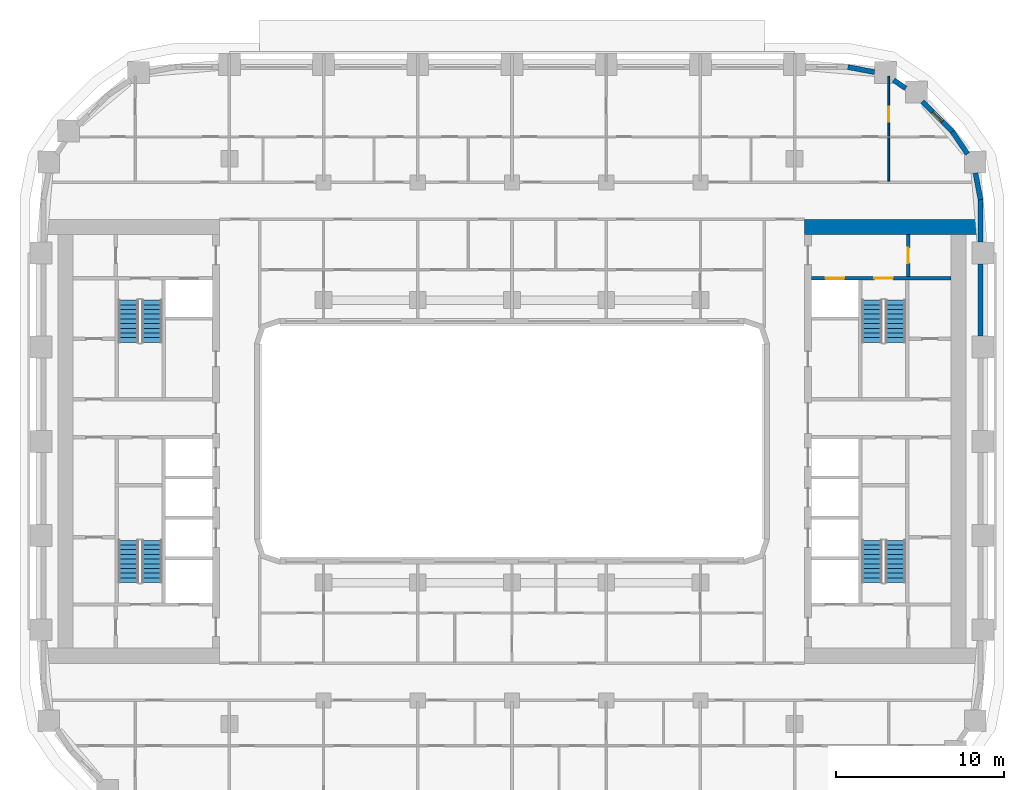
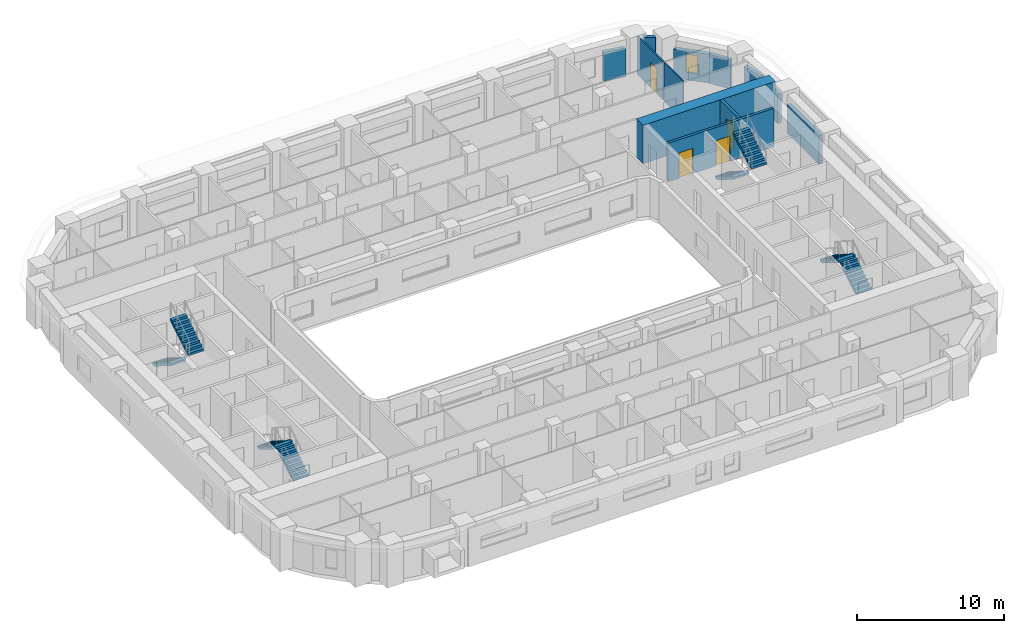
# One storey, part 10 of 21: 12 walls, 8 stair flights, 4 doors, 1 window, 5 openings, 4 elements without a shape of their own.
"""IFC4 building model written with IfcOpenShell, lengths in metres."""

from ifc_helpers import new_model, si_unit, direction, frame, frame_2d, origin, place, context, subcontext, project, spatial, polyline, rectangle, outline, extrude, material, layer, layer_set, type_object, element, fill, aggregate, save


model = new_model("IFC4")

# Units and contexts
model_context = context("Model", 3, precision=1e-05, world=origin(), true_north=direction((0.0, 1.0)))
body_context = subcontext(model_context, "Body", "Model", "MODEL_VIEW")
ifc_project = project(units=[si_unit("LENGTHUNIT", "METRE"), si_unit("AREAUNIT", "SQUARE_METRE"), si_unit("VOLUMEUNIT", "CUBIC_METRE"), si_unit("PLANEANGLEUNIT", "RADIAN"), si_unit("MASSUNIT", "GRAM", prefix="KILO")], contexts=[model_context])

# Site, building, storey
site_placement = place(None, origin())
site = spatial("IfcSite", under=ifc_project, at=site_placement, CompositionType="ELEMENT")
building_placement = place(site_placement, origin())
building = spatial("IfcBuilding", under=site, at=building_placement, Name="Kiln Ring Residences", CompositionType="ELEMENT")
storey_placement = place(building_placement, frame((0.0, 0.0, 93.800048828125)))
storey = spatial("IfcBuildingStorey", under=building, at=storey_placement, Name="L23", CompositionType="ELEMENT", Elevation=93.800048828125)

# Wall, opening, door
ifc_material_1 = material(Name="Gypsum board on steel studs", Category="steel")
ifc_layer_1 = layer(ifc_material_1, 0.199951171875)
ifc_layer_set_1 = layer_set([ifc_layer_1], Name="CORE-PARTITION-200")
wall_type_1 = type_object("IfcWallType", Name="CORE-PARTITION-200", PredefinedType="PARTITIONING", material=ifc_layer_set_1)
wall_1_placement = place(storey_placement, frame((23.550048828125, 9.800048828125, 0.0), z_axis=(0.0, 0.0, 1.0), x_axis=(0.0, 1.0, 0.0)))
wall_1 = element("IfcWall", 1, at=wall_1_placement, inside=storey, type_object=wall_type_1, Name="Core partition east L23 3", PredefinedType="PARTITIONING", context=body_context, shape_type="SweptSolid", body=[
    extrude(rectangle(XDim=2.5, YDim=0.199951171875, at=frame_2d((1.25, 0.0))), origin(), (0.0, 0.0, 1.0), 3.199951171875),
])
opening_1_placement = place(wall_1_placement, frame((0.800048828125, 0.0, 0.0)))
opening_1 = element("IfcOpeningElement", 2, at=opening_1_placement, cuts=wall_1, Name="Opening L23-CE09", PredefinedType="OPENING", context=body_context, shape_type="SweptSolid", body=[
    extrude(rectangle(XDim=0.89990234375, YDim=2.10009765625, at=frame_2d((0.449951171875, 1.050048828125))), frame((0.0, 0.10986328125, 0.0), z_axis=(0.0, -1.0, 0.0), x_axis=(1.0, 0.0, 0.0)), (0.0, 0.0, 1.0), 0.219970703125),
])
ifc_material_2 = material(Name="Steel door leaf", Category="steel")
door_type_1 = type_object("IfcDoorType", Name="CORE-DOOR-ROOM", OperationType="SINGLE_SWING_LEFT", PredefinedType="DOOR", material=ifc_material_2)
door_1_placement = place(opening_1_placement, origin())
door_1 = element("IfcDoor", 3, at=door_1_placement, inside=storey, type_object=door_type_1, Name="Fire riser room L23-CE09", OperationType="SINGLE_SWING_RIGHT", OverallHeight=2.10009765625, OverallWidth=0.89990234375, PredefinedType="DOOR", context=body_context, shape_type="SweptSolid", body=[
    extrude(rectangle(XDim=0.89990234375, YDim=2.10009765625, at=frame_2d((0.449951171875, 1.050048828125))), frame((0.0, 0.02490234375, 0.0), z_axis=(0.0, -1.0, 0.0), x_axis=(1.0, 0.0, 0.0)), (0.0, 0.0, 1.0), 0.050048828125),
])
fill(opening_1, door_1)

# Wall, openings, doors
ifc_material_3 = material(Name="Concrete C40/50", Category="concrete")
ifc_layer_2 = layer(ifc_material_3, 0.199951171875)
ifc_layer_set_2 = layer_set([ifc_layer_2], Name="CORE-WALL-RC200")
wall_type_2 = type_object("IfcWallType", Name="CORE-WALL-RC200", PredefinedType="SHEAR", material=ifc_layer_set_2)
wall_2_placement = place(storey_placement, frame((17.800048828125, 9.699951171875, 0.0), z_axis=(0.0, 0.0, 1.0), x_axis=(1.0, 0.0, 0.0)))
wall_2 = element("IfcWall", 4, at=wall_2_placement, inside=storey, type_object=wall_type_2, Name="Core wall east L23 9", PredefinedType="SHEAR", context=body_context, shape_type="SweptSolid", body=[
    extrude(rectangle(XDim=8.300048828125, YDim=0.199951171875, at=frame_2d((4.14990234375, 0.0))), origin(), (0.0, 0.0, 1.0), 3.199951171875),
])
opening_2_placement = place(wall_2_placement, frame((0.85009765625, 0.0, 0.0)))
opening_2 = element("IfcOpeningElement", 5, at=opening_2_placement, cuts=wall_2, Name="Opening L23-CE06", PredefinedType="OPENING", context=body_context, shape_type="SweptSolid", body=[
    extrude(rectangle(XDim=1.10009765625, YDim=2.10009765625, at=frame_2d((0.550048828125, 1.050048828125))), frame((0.0, 0.10986328125, 0.0), z_axis=(0.0, -1.0, 0.0), x_axis=(1.0, 0.0, 0.0)), (0.0, 0.0, 1.0), 0.219970703125),
])
opening_3_placement = place(wall_2_placement, frame((3.75, 0.0, 0.0)))
opening_3 = element("IfcOpeningElement", 6, at=opening_3_placement, cuts=wall_2, Name="Opening L23-CE11", PredefinedType="OPENING", context=body_context, shape_type="SweptSolid", body=[
    extrude(rectangle(XDim=1.10009765625, YDim=2.10009765625, at=frame_2d((0.550048828125, 1.050048828125))), frame((0.0, 0.10986328125, 0.0), z_axis=(0.0, -1.0, 0.0), x_axis=(1.0, 0.0, 0.0)), (0.0, 0.0, 1.0), 0.219970703125),
])
ifc_material_4 = material(Name="Steel door leaf", Category="steel")
door_type_2 = type_object("IfcDoorType", Name="CORE-DOOR-LD", OperationType="DOUBLE_DOOR_SLIDING", PredefinedType="DOOR", material=ifc_material_4)
door_2_placement = place(opening_2_placement, origin())
door_2 = element("IfcDoor", 7, at=door_2_placement, inside=storey, type_object=door_type_2, Name="LD E-FF L23-CE06", OperationType="DOUBLE_DOOR_SLIDING", OverallHeight=2.10009765625, OverallWidth=1.10009765625, PredefinedType="DOOR", context=body_context, shape_type="SweptSolid", body=[
    extrude(rectangle(XDim=1.10009765625, YDim=2.10009765625, at=frame_2d((0.550048828125, 1.050048828125))), frame((0.0, 0.02490234375, 0.0), z_axis=(0.0, -1.0, 0.0), x_axis=(1.0, 0.0, 0.0)), (0.0, 0.0, 1.0), 0.050048828125),
])
fill(opening_2, door_2)
ifc_material_5 = material(Name="Steel door leaf", Category="steel")
door_type_3 = type_object("IfcDoorType", Name="CORE-DOOR-STAIR", OperationType="SINGLE_SWING_LEFT", PredefinedType="DOOR", material=ifc_material_5)
door_3_placement = place(opening_3_placement, origin())
door_3 = element("IfcDoor", 8, at=door_3_placement, inside=storey, type_object=door_type_3, Name="Stair E-STN L23-CE11", OperationType="SINGLE_SWING_RIGHT", OverallHeight=2.10009765625, OverallWidth=1.10009765625, PredefinedType="DOOR", context=body_context, shape_type="SweptSolid", body=[
    extrude(rectangle(XDim=1.10009765625, YDim=2.10009765625, at=frame_2d((0.550048828125, 1.050048828125))), frame((0.0, 0.02490234375, 0.0), z_axis=(0.0, -1.0, 0.0), x_axis=(1.0, 0.0, 0.0)), (0.0, 0.0, 1.0), 0.050048828125),
])
fill(opening_3, door_3)

# Walls
ifc_material_6 = material(Name="Concrete C60/75", Category="concrete")
ifc_layer_3 = layer(ifc_material_6, 0.89990234375)
ifc_layer_set_3 = layer_set([ifc_layer_3], Name="CORE-WALL-RC900")
wall_type_3 = type_object("IfcWallType", Name="CORE-WALL-RC900", PredefinedType="SHEAR", material=ifc_layer_set_3)
wall_3_placement = place(storey_placement, frame((17.39990234375, 12.75, 0.0), z_axis=(0.0, 0.0, 1.0), x_axis=(1.0, 0.0, 0.0)))
element("IfcWall", 9, at=wall_3_placement, inside=storey, type_object=wall_type_3, Name="Core wall east L23 4", PredefinedType="SHEAR", context=body_context, shape_type="SweptSolid", body=[
    extrude(rectangle(XDim=10.400146484375, YDim=0.89990234375, at=frame_2d((5.2001953125, 0.0))), origin(), (0.0, 0.0, 1.0), 3.199951171875),
])
ifc_material_7 = material(Name="Brick masonry, dark clay brick", Category="masonry")
ifc_layer_4 = layer(ifc_material_7, 0.300048828125)
ifc_layer_set_4 = layer_set([ifc_layer_4], Name="EW-300 BRICK WALL")
wall_type_4 = type_object("IfcWallType", Name="EW-300 BRICK WALL", PredefinedType="SOLIDWALL", material=ifc_layer_set_4)
wall_4_placement = place(storey_placement, frame((27.85009765625, 6.25, 0.0), z_axis=(0.0, 0.0, 1.0), x_axis=(0.0, 1.0, 0.0)))
element("IfcWall", 10, at=wall_4_placement, inside=storey, type_object=wall_type_4, Name="Facade wall L23 21", PredefinedType="SOLIDWALL", context=body_context, shape_type="SweptSolid", body=[
    extrude(rectangle(XDim=4.300048828125, YDim=0.300048828125, at=frame_2d((2.14990234375, 0.0))), origin(), (0.0, 0.0, 1.0), 2.39990234375),
])
wall_5_placement = place(storey_placement, frame((27.85009765625, 11.85009765625, 0.0), z_axis=(0.0, 0.0, 1.0), x_axis=(0.0, 1.0, 0.0)))
element("IfcWall", 11, at=wall_5_placement, inside=storey, type_object=wall_type_4, Name="Facade wall L23 22", PredefinedType="SOLIDWALL", context=body_context, shape_type="SweptSolid", body=[
    extrude(rectangle(XDim=2.5498046875, YDim=0.300048828125, at=frame_2d((1.27490234375, 0.0))), origin(), (0.0, 0.0, 1.0), 2.39990234375),
])
for number, where, z_axis, x_axis, name in (
    (12, (27.8525390625, 14.371826171875, 0.0), (0.0, 0.0, 1.0), (-0.187279751651, 0.982306619453, 0.0), "Facade wall L23 23"),
    (13, (27.08154296875, 17.08447265625, 0.0), (0.0, 0.0, 1.0), (-0.562010605531, 0.827130025613, 0.0), "Facade wall L23 24"),
):
    element("IfcWall", number, at=place(storey_placement, frame(where, z_axis=z_axis, x_axis=x_axis)), inside=storey, type_object=wall_type_4, Name=name, PredefinedType="SOLIDWALL", context=body_context, shape_type="SweptSolid", body=[
        extrude(rectangle(XDim=1.60595703125, YDim=0.300048828125, at=frame_2d((0.802978515625, 0.0))), origin(), (0.0, 0.0, 1.0), 2.39990234375),
    ])

# Wall, opening, window
wall_6_placement = place(storey_placement, frame((26.19677734375, 18.390869140625, 0.0), z_axis=(0.0, 0.0, 1.0), x_axis=(-0.707058908279, 0.707154650853, 0.0)))
wall_6 = element("IfcWall", 14, at=wall_6_placement, inside=storey, type_object=wall_type_4, Name="Facade wall L23 25", PredefinedType="SOLIDWALL", context=body_context, shape_type="SweptSolid", body=[
    extrude(rectangle(XDim=2.550048828125, YDim=0.300048828125, at=frame_2d((1.27490234375, 0.0))), origin(), (0.0, 0.0, 1.0), 2.39990234375),
])
opening_4_placement = place(wall_6_placement, frame((0.875, 0.0, 0.60009765625)))
opening_4 = element("IfcOpeningElement", 15, at=opening_4_placement, cuts=wall_6, Name="Opening W5", PredefinedType="OPENING", context=body_context, shape_type="SweptSolid", body=[
    extrude(rectangle(XDim=0.800048828125, YDim=1.550048828125, at=frame_2d((0.39990234375, 0.77490234375))), frame((0.0, 0.159912109375, 0.0), z_axis=(0.0, -1.0, 0.0), x_axis=(1.0, 0.0, 0.0)), (0.0, 0.0, 1.0), 0.320068359375),
])
ifc_material_8 = material(Name="Aluminium frame with double glazing", Category="aluminium")
window_type = type_object("IfcWindowType", Name="WINDOW 800 x 1550", PartitioningType="SINGLE_PANEL", PredefinedType="WINDOW", material=ifc_material_8)
window_placement = place(opening_4_placement, origin())
window = element("IfcWindow", 16, at=window_placement, inside=storey, type_object=window_type, Name="Window L23 12", OverallHeight=1.550048828125, OverallWidth=0.800048828125, PartitioningType="SINGLE_PANEL", PredefinedType="WINDOW", context=body_context, shape_type="SweptSolid", body=[
    extrude(rectangle(XDim=0.800048828125, YDim=1.550048828125, at=frame_2d((0.39990234375, 0.77490234375))), frame((0.0, 0.030029296875, 0.0), z_axis=(0.0, -1.0, 0.0), x_axis=(1.0, 0.0, 0.0)), (0.0, 0.0, 1.0), 0.06005859375),
])
fill(opening_4, window)

# Walls
wall_7_placement = place(storey_placement, frame((23.409912109375, 20.988525390625, 0.0), z_axis=(0.0, 0.0, 1.0), x_axis=(-0.827050703543, 0.562127328787, 0.0)))
element("IfcWall", 17, at=wall_7_placement, inside=storey, type_object=wall_type_4, Name="Facade wall L23 26", PredefinedType="SOLIDWALL", context=body_context, shape_type="SweptSolid", body=[
    extrude(rectangle(XDim=0.877197265625, YDim=0.300048828125, at=frame_2d((0.4384765625, 0.0))), origin(), (0.0, 0.0, 1.0), 3.199951171875),
])
wall_8_placement = place(storey_placement, frame((21.549560546875, 21.95166015625, 0.0), z_axis=(0.0, 0.0, 1.0), x_axis=(-0.982278644094, 0.187426426519, 0.0)))
element("IfcWall", 18, at=wall_8_placement, inside=storey, type_object=wall_type_4, Name="Facade wall L23 27", PredefinedType="SOLIDWALL", context=body_context, shape_type="SweptSolid", body=[
    extrude(rectangle(XDim=1.606201171875, YDim=0.300048828125, at=frame_2d((0.80322265625, 0.0))), origin(), (0.0, 0.0, 1.0), 2.39990234375),
])
ifc_material_9 = material(Name="Gypsum board on steel studs", Category="steel")
ifc_layer_5 = layer(ifc_material_9, 0.10009765625)
ifc_layer_set_5 = layer_set([ifc_layer_5], Name="PARTITION-100")
wall_type_5 = type_object("IfcWallType", Name="PARTITION-100", PredefinedType="PARTITIONING", material=ifc_layer_set_5)
wall_9_placement = place(storey_placement, frame((22.39990234375, 15.47509765625, 0.0), z_axis=(0.0, 0.0, 1.0), x_axis=(0.0, 1.0, 0.0)))
element("IfcWall", 19, at=wall_9_placement, inside=storey, type_object=wall_type_5, Name="Partition 078", PredefinedType="PARTITIONING", context=body_context, shape_type="SweptSolid", body=[
    extrude(rectangle(XDim=2.574951171875, YDim=0.10009765625, at=frame_2d((1.28759765625, 0.0))), origin(), (0.0, 0.0, 1.0), 3.199951171875),
])

# Wall, opening, door
wall_10_placement = place(storey_placement, frame((22.39990234375, 18.14990234375, 0.0), z_axis=(0.0, 0.0, 1.0), x_axis=(0.0, 1.0, 0.0)))
wall_10 = element("IfcWall", 20, at=wall_10_placement, inside=storey, type_object=wall_type_5, Name="Partition 079", PredefinedType="PARTITIONING", context=body_context, shape_type="SweptSolid", body=[
    extrude(rectangle(XDim=3.570068359375, YDim=0.10009765625, at=frame_2d((1.78515625, 0.0))), origin(), (0.0, 0.0, 1.0), 3.199951171875),
])
opening_5_placement = place(wall_10_placement, frame((0.85009765625, 0.0, 0.0)))
opening_5 = element("IfcOpeningElement", 21, at=opening_5_placement, cuts=wall_10, Name="Opening L23-D042", PredefinedType="OPENING", context=body_context, shape_type="SweptSolid", body=[
    extrude(rectangle(XDim=0.89990234375, YDim=2.10009765625, at=frame_2d((0.449951171875, 1.050048828125))), frame((0.0, 0.06005859375, 0.0), z_axis=(0.0, -1.0, 0.0), x_axis=(1.0, 0.0, 0.0)), (0.0, 0.0, 1.0), 0.1201171875),
])
ifc_material_10 = material(Name="Timber door leaf", Category="wood")
door_type_4 = type_object("IfcDoorType", Name="FLAT-DOOR-900-PL", OperationType="SINGLE_SWING_LEFT", PredefinedType="DOOR", material=ifc_material_10)
door_4_placement = place(opening_5_placement, origin())
door_4 = element("IfcDoor", 22, at=door_4_placement, inside=storey, type_object=door_type_4, Name="Door L23-D042", OperationType="SINGLE_SWING_LEFT", OverallHeight=2.10009765625, OverallWidth=0.89990234375, PredefinedType="DOOR", context=body_context, shape_type="SweptSolid", body=[
    extrude(rectangle(XDim=0.89990234375, YDim=2.10009765625, at=frame_2d((0.449951171875, 1.050048828125))), frame((0.0, 0.02490234375, 0.0), z_axis=(0.0, -1.0, 0.0), x_axis=(1.0, 0.0, 0.0)), (0.0, 0.0, 1.0), 0.050048828125),
])
fill(opening_5, door_4)

# Stair, stair flights
ifc_material_11 = material(Name="Concrete C40/50", Category="concrete")
stair_type = type_object("IfcStairType", Name="CORE-STAIR", PredefinedType="HALF_TURN_STAIR", material=ifc_material_11)
placement = place(storey_placement, origin())
stair_1 = element("IfcStair", 23, at=placement, inside=storey, type_object=stair_type, Name="L23 stair W-STN", PredefinedType="HALF_TURN_STAIR")
ifc_material_12 = material(Name="Concrete C40/50", Category="concrete")
stair_flight_type = type_object("IfcStairFlightType", Name="CORE-STAIR-FLIGHT", PredefinedType="STRAIGHT", material=ifc_material_12)
stair_flight_1_placement = place(storey_placement, frame((-22.800048828125, 8.39990234375, 0.0), z_axis=(0.0, 0.0, 1.0), x_axis=(0.0, -1.0, 0.0)))
stair_flight_1 = element("IfcStairFlight", 24, at=stair_flight_1_placement, type_object=stair_flight_type, Name="W-STN flight 1", NumberOfRisers=10, NumberOfTreads=9, PredefinedType="STRAIGHT", RiserHeight=0.175, TreadLength=0.28, context=body_context, shape_type="SweptSolid", body=[
    extrude(outline(polyline([(0.0, 0.0), (0.0, 0.175048828125), (0.280029296875, 0.175048828125), (0.280029296875, 0.35009765625), (0.56005859375, 0.35009765625), (0.56005859375, 0.52490234375), (0.840087890625, 0.52490234375), (0.840087890625, 0.699951171875), (1.1201171875, 0.699951171875), (1.1201171875, 0.875), (1.39990234375, 0.875), (1.39990234375, 1.050048828125), (1.679931640625, 1.050048828125), (1.679931640625, 1.22509765625), (1.9599609375, 1.22509765625), (1.9599609375, 1.39990234375), (2.239990234375, 1.39990234375), (2.239990234375, 1.574951171875), (2.52001953125, 1.574951171875), (2.52001953125, 1.75), (2.52001953125, 1.398193359375), (0.28271484375, 0.0), (0.0, 0.0)])), frame((0.0, 0.60009765625, 0.0), z_axis=(0.0, -1.0, 0.0), x_axis=(1.0, 0.0, 0.0)), (0.0, 0.0, 1.0), 1.199951171875),
])
stair_flight_2_placement = place(storey_placement, frame((-21.39990234375, 5.8798828125, 1.75), z_axis=(0.0, 0.0, 1.0), x_axis=(0.0, 1.0, 0.0)))
stair_flight_2 = element("IfcStairFlight", 25, at=stair_flight_2_placement, type_object=stair_flight_type, Name="W-STN flight 2", NumberOfRisers=10, NumberOfTreads=9, PredefinedType="STRAIGHT", RiserHeight=0.175, TreadLength=0.28, context=body_context, shape_type="SweptSolid", body=[
    extrude(outline(polyline([(0.0, 0.0), (0.0, 0.175048828125), (0.280029296875, 0.175048828125), (0.280029296875, 0.35009765625), (0.56005859375, 0.35009765625), (0.56005859375, 0.52490234375), (0.840087890625, 0.52490234375), (0.840087890625, 0.699951171875), (1.1201171875, 0.699951171875), (1.1201171875, 0.875), (1.39990234375, 0.875), (1.39990234375, 1.050048828125), (1.679931640625, 1.050048828125), (1.679931640625, 1.22509765625), (1.9599609375, 1.22509765625), (1.9599609375, 1.39990234375), (2.239990234375, 1.39990234375), (2.239990234375, 1.574951171875), (2.52001953125, 1.574951171875), (2.52001953125, 1.75), (2.52001953125, 1.398193359375), (0.28271484375, 0.0), (0.0, 0.0)])), frame((0.0, 0.60009765625, 0.0), z_axis=(0.0, -1.0, 0.0), x_axis=(1.0, 0.0, 0.0)), (0.0, 0.0, 1.0), 1.199951171875),
])
aggregate(stair_1, [stair_flight_1, stair_flight_2])

stair_2 = element("IfcStair", 26, at=placement, inside=storey, type_object=stair_type, Name="L23 stair W-STS", PredefinedType="HALF_TURN_STAIR")
stair_flight_3_placement = place(storey_placement, frame((-21.39990234375, -8.39990234375, 0.0), z_axis=(0.0, 0.0, 1.0), x_axis=(0.0, 1.0, 0.0)))
stair_flight_3 = element("IfcStairFlight", 27, at=stair_flight_3_placement, type_object=stair_flight_type, Name="W-STS flight 1", NumberOfRisers=10, NumberOfTreads=9, PredefinedType="STRAIGHT", RiserHeight=0.175, TreadLength=0.28, context=body_context, shape_type="SweptSolid", body=[
    extrude(outline(polyline([(0.0, 0.0), (0.0, 0.175048828125), (0.280029296875, 0.175048828125), (0.280029296875, 0.35009765625), (0.56005859375, 0.35009765625), (0.56005859375, 0.52490234375), (0.840087890625, 0.52490234375), (0.840087890625, 0.699951171875), (1.1201171875, 0.699951171875), (1.1201171875, 0.875), (1.39990234375, 0.875), (1.39990234375, 1.050048828125), (1.679931640625, 1.050048828125), (1.679931640625, 1.22509765625), (1.9599609375, 1.22509765625), (1.9599609375, 1.39990234375), (2.239990234375, 1.39990234375), (2.239990234375, 1.574951171875), (2.52001953125, 1.574951171875), (2.52001953125, 1.75), (2.52001953125, 1.398193359375), (0.28271484375, 0.0), (0.0, 0.0)])), frame((0.0, 0.60009765625, 0.0), z_axis=(0.0, -1.0, 0.0), x_axis=(1.0, 0.0, 0.0)), (0.0, 0.0, 1.0), 1.199951171875),
])
stair_flight_4_placement = place(storey_placement, frame((-22.800048828125, -5.8798828125, 1.75), z_axis=(0.0, 0.0, 1.0), x_axis=(0.0, -1.0, 0.0)))
stair_flight_4 = element("IfcStairFlight", 28, at=stair_flight_4_placement, type_object=stair_flight_type, Name="W-STS flight 2", NumberOfRisers=10, NumberOfTreads=9, PredefinedType="STRAIGHT", RiserHeight=0.175, TreadLength=0.28, context=body_context, shape_type="SweptSolid", body=[
    extrude(outline(polyline([(0.0, 0.0), (0.0, 0.175048828125), (0.280029296875, 0.175048828125), (0.280029296875, 0.35009765625), (0.56005859375, 0.35009765625), (0.56005859375, 0.52490234375), (0.840087890625, 0.52490234375), (0.840087890625, 0.699951171875), (1.1201171875, 0.699951171875), (1.1201171875, 0.875), (1.39990234375, 0.875), (1.39990234375, 1.050048828125), (1.679931640625, 1.050048828125), (1.679931640625, 1.22509765625), (1.9599609375, 1.22509765625), (1.9599609375, 1.39990234375), (2.239990234375, 1.39990234375), (2.239990234375, 1.574951171875), (2.52001953125, 1.574951171875), (2.52001953125, 1.75), (2.52001953125, 1.398193359375), (0.28271484375, 0.0), (0.0, 0.0)])), frame((0.0, 0.60009765625, 0.0), z_axis=(0.0, -1.0, 0.0), x_axis=(1.0, 0.0, 0.0)), (0.0, 0.0, 1.0), 1.199951171875),
])
aggregate(stair_2, [stair_flight_3, stair_flight_4])

stair_3 = element("IfcStair", 29, at=placement, inside=storey, type_object=stair_type, Name="L23 stair E-STN", PredefinedType="HALF_TURN_STAIR")
stair_flight_5_placement = place(storey_placement, frame((21.39990234375, 8.39990234375, 0.0), z_axis=(0.0, 0.0, 1.0), x_axis=(0.0, -1.0, 0.0)))
stair_flight_5 = element("IfcStairFlight", 30, at=stair_flight_5_placement, type_object=stair_flight_type, Name="E-STN flight 1", NumberOfRisers=10, NumberOfTreads=9, PredefinedType="STRAIGHT", RiserHeight=0.175, TreadLength=0.28, context=body_context, shape_type="SweptSolid", body=[
    extrude(outline(polyline([(0.0, 0.0), (0.0, 0.175048828125), (0.280029296875, 0.175048828125), (0.280029296875, 0.35009765625), (0.56005859375, 0.35009765625), (0.56005859375, 0.52490234375), (0.840087890625, 0.52490234375), (0.840087890625, 0.699951171875), (1.1201171875, 0.699951171875), (1.1201171875, 0.875), (1.39990234375, 0.875), (1.39990234375, 1.050048828125), (1.679931640625, 1.050048828125), (1.679931640625, 1.22509765625), (1.9599609375, 1.22509765625), (1.9599609375, 1.39990234375), (2.239990234375, 1.39990234375), (2.239990234375, 1.574951171875), (2.52001953125, 1.574951171875), (2.52001953125, 1.75), (2.52001953125, 1.398193359375), (0.28271484375, 0.0), (0.0, 0.0)])), frame((0.0, 0.60009765625, 0.0), z_axis=(0.0, -1.0, 0.0), x_axis=(1.0, 0.0, 0.0)), (0.0, 0.0, 1.0), 1.199951171875),
])
stair_flight_6_placement = place(storey_placement, frame((22.800048828125, 5.8798828125, 1.75), z_axis=(0.0, 0.0, 1.0), x_axis=(0.0, 1.0, 0.0)))
stair_flight_6 = element("IfcStairFlight", 31, at=stair_flight_6_placement, type_object=stair_flight_type, Name="E-STN flight 2", NumberOfRisers=10, NumberOfTreads=9, PredefinedType="STRAIGHT", RiserHeight=0.175, TreadLength=0.28, context=body_context, shape_type="SweptSolid", body=[
    extrude(outline(polyline([(0.0, 0.0), (0.0, 0.175048828125), (0.280029296875, 0.175048828125), (0.280029296875, 0.35009765625), (0.56005859375, 0.35009765625), (0.56005859375, 0.52490234375), (0.840087890625, 0.52490234375), (0.840087890625, 0.699951171875), (1.1201171875, 0.699951171875), (1.1201171875, 0.875), (1.39990234375, 0.875), (1.39990234375, 1.050048828125), (1.679931640625, 1.050048828125), (1.679931640625, 1.22509765625), (1.9599609375, 1.22509765625), (1.9599609375, 1.39990234375), (2.239990234375, 1.39990234375), (2.239990234375, 1.574951171875), (2.52001953125, 1.574951171875), (2.52001953125, 1.75), (2.52001953125, 1.398193359375), (0.28271484375, 0.0), (0.0, 0.0)])), frame((0.0, 0.60009765625, 0.0), z_axis=(0.0, -1.0, 0.0), x_axis=(1.0, 0.0, 0.0)), (0.0, 0.0, 1.0), 1.199951171875),
])
aggregate(stair_3, [stair_flight_5, stair_flight_6])

stair_4 = element("IfcStair", 32, at=placement, inside=storey, type_object=stair_type, Name="L23 stair E-STS", PredefinedType="HALF_TURN_STAIR")
stair_flight_7_placement = place(storey_placement, frame((22.800048828125, -8.39990234375, 0.0), z_axis=(0.0, 0.0, 1.0), x_axis=(0.0, 1.0, 0.0)))
stair_flight_7 = element("IfcStairFlight", 33, at=stair_flight_7_placement, type_object=stair_flight_type, Name="E-STS flight 1", NumberOfRisers=10, NumberOfTreads=9, PredefinedType="STRAIGHT", RiserHeight=0.175, TreadLength=0.28, context=body_context, shape_type="SweptSolid", body=[
    extrude(outline(polyline([(0.0, 0.0), (0.0, 0.175048828125), (0.280029296875, 0.175048828125), (0.280029296875, 0.35009765625), (0.56005859375, 0.35009765625), (0.56005859375, 0.52490234375), (0.840087890625, 0.52490234375), (0.840087890625, 0.699951171875), (1.1201171875, 0.699951171875), (1.1201171875, 0.875), (1.39990234375, 0.875), (1.39990234375, 1.050048828125), (1.679931640625, 1.050048828125), (1.679931640625, 1.22509765625), (1.9599609375, 1.22509765625), (1.9599609375, 1.39990234375), (2.239990234375, 1.39990234375), (2.239990234375, 1.574951171875), (2.52001953125, 1.574951171875), (2.52001953125, 1.75), (2.52001953125, 1.398193359375), (0.28271484375, 0.0), (0.0, 0.0)])), frame((0.0, 0.60009765625, 0.0), z_axis=(0.0, -1.0, 0.0), x_axis=(1.0, 0.0, 0.0)), (0.0, 0.0, 1.0), 1.199951171875),
])
stair_flight_8_placement = place(storey_placement, frame((21.39990234375, -5.8798828125, 1.75), z_axis=(0.0, 0.0, 1.0), x_axis=(0.0, -1.0, 0.0)))
stair_flight_8 = element("IfcStairFlight", 34, at=stair_flight_8_placement, type_object=stair_flight_type, Name="E-STS flight 2", NumberOfRisers=10, NumberOfTreads=9, PredefinedType="STRAIGHT", RiserHeight=0.175, TreadLength=0.28, context=body_context, shape_type="SweptSolid", body=[
    extrude(outline(polyline([(0.0, 0.0), (0.0, 0.175048828125), (0.280029296875, 0.175048828125), (0.280029296875, 0.35009765625), (0.56005859375, 0.35009765625), (0.56005859375, 0.52490234375), (0.840087890625, 0.52490234375), (0.840087890625, 0.699951171875), (1.1201171875, 0.699951171875), (1.1201171875, 0.875), (1.39990234375, 0.875), (1.39990234375, 1.050048828125), (1.679931640625, 1.050048828125), (1.679931640625, 1.22509765625), (1.9599609375, 1.22509765625), (1.9599609375, 1.39990234375), (2.239990234375, 1.39990234375), (2.239990234375, 1.574951171875), (2.52001953125, 1.574951171875), (2.52001953125, 1.75), (2.52001953125, 1.398193359375), (0.28271484375, 0.0), (0.0, 0.0)])), frame((0.0, 0.60009765625, 0.0), z_axis=(0.0, -1.0, 0.0), x_axis=(1.0, 0.0, 0.0)), (0.0, 0.0, 1.0), 1.199951171875),
])
aggregate(stair_4, [stair_flight_7, stair_flight_8])

save(model, "model.ifc")
